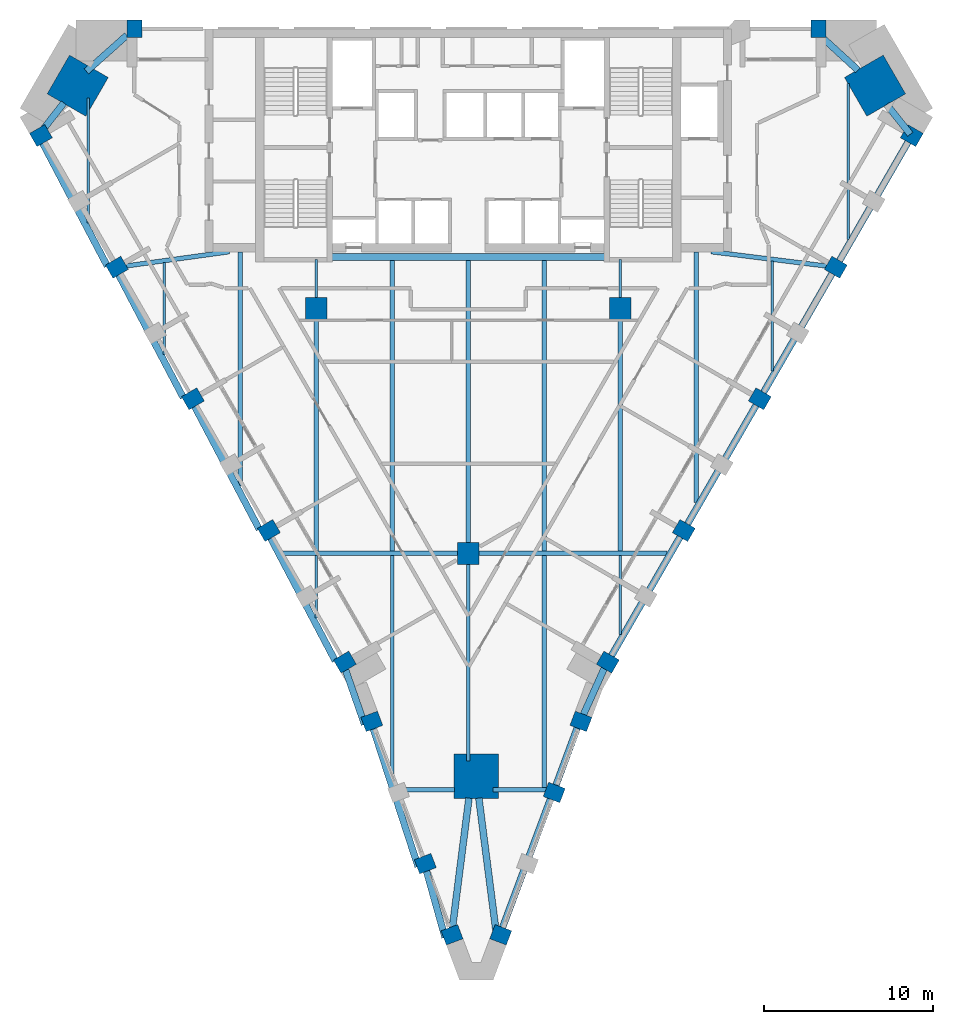
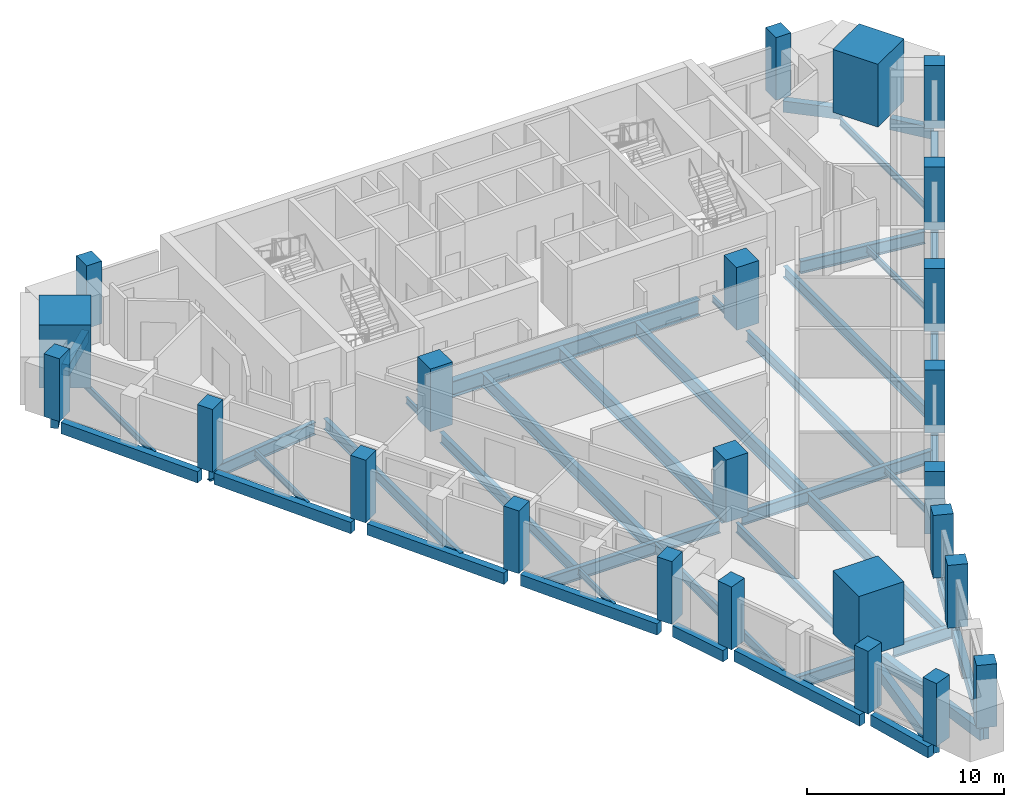
# One storey, part 1 of 9: 45 beams, 24 columns.
"""IFC4 building model written with IfcOpenShell, lengths in metres."""

from ifc_helpers import new_model, si_unit, direction, frame, origin, origin_2d, place, context, subcontext, project, spatial, rectangle, i_section, extrude, material, material_profile, profile_set, type_object, element, save


model = new_model("IFC4")

# Units and contexts
model_context = context("Model", 3, precision=1e-05, world=origin(), true_north=direction((0.0, 1.0)))
body_context = subcontext(model_context, "Body", "Model", "MODEL_VIEW")
ifc_project = project(units=[si_unit("LENGTHUNIT", "METRE"), si_unit("AREAUNIT", "SQUARE_METRE"), si_unit("VOLUMEUNIT", "CUBIC_METRE"), si_unit("PLANEANGLEUNIT", "RADIAN"), si_unit("MASSUNIT", "GRAM", prefix="KILO")], contexts=[model_context])

# Site, building, storey
site_placement = place(None, origin())
site = spatial("IfcSite", under=ifc_project, at=site_placement, CompositionType="ELEMENT")
building_placement = place(site_placement, origin())
building = spatial("IfcBuilding", under=site, at=building_placement, Name="Calabash Gate Tower", CompositionType="ELEMENT")
storey_placement = place(building_placement, frame((0.0, 0.0, 171.89990234375)))
storey = spatial("IfcBuildingStorey", under=building, at=storey_placement, Name="L40", CompositionType="ELEMENT", Elevation=171.89990234375)

# Columns
ifc_material_1 = material(Name="Concrete C70/85", Category="concrete")
ifc_material_profile_1 = material_profile(ifc_material_1, rectangle(XDim=1.300048828125, YDim=1.300048828125, at=origin_2d()))
ifc_profile_set_1 = profile_set([ifc_material_profile_1], Name="Concrete C70/85")
column_type_1 = type_object("IfcColumnType", Name="Interior column RC 1300x1300 Concrete C70/85", PredefinedType="COLUMN", material=ifc_profile_set_1)
for number, where, z_axis, x_axis, name in (
    (1, (-9.0, 2.5, 0.0), (0.0, 0.0, 1.0), (1.0, 0.0, 0.0), "Interior column L40 I0"),
    (2, (9.0, 2.5, 0.0), (0.0, 0.0, 1.0), (1.0, 0.0, 0.0), "Interior column L40 I1"),
    (3, (0.0, -12.0, 0.0), (0.0, 0.0, 1.0), (1.0, 0.0, 0.0), "Interior column L40 I2"),
):
    element("IfcColumn", number, at=place(storey_placement, frame(where, z_axis=z_axis, x_axis=x_axis)), inside=storey, type_object=column_type_1, Name=name, PredefinedType="COLUMN", context=body_context, shape_type="SweptSolid", body=[
        extrude(rectangle(XDim=1.300048828125, YDim=1.300048828125, at=origin_2d()), origin(), (0.0, 0.0, 1.0), 3.900146484375),
    ])
ifc_material_2 = material(Name="Concrete C70/85", Category="concrete")
ifc_material_profile_2 = material_profile(ifc_material_2, rectangle(XDim=2.64990234375, YDim=2.64990234375, at=origin_2d()))
ifc_profile_set_2 = profile_set([ifc_material_profile_2], Name="Concrete C70/85")
column_type_2 = type_object("IfcColumnType", Name="Mega column RC 2650x2650 Concrete C70/85", PredefinedType="COLUMN", material=ifc_profile_set_2)
for number, where, z_axis, x_axis, name in (
    (4, (-23.1259765625, 15.68896484375, 0.0), (0.0, 0.0, 1.0), (0.866025386331, -0.50000003023, 0.0), "Mega column L40 NW"),
    (5, (24.0869140625, 15.68896484375, 0.0), (0.0, 0.0, 1.0), (-0.866025386331, -0.50000003023, 0.0), "Mega column L40 NE"),
    (6, (0.47998046875, -25.197998046875, 0.0), (0.0, 0.0, 1.0), (0.0, 1.0, 0.0), "Mega column L40 S"),
):
    element("IfcColumn", number, at=place(storey_placement, frame(where, z_axis=z_axis, x_axis=x_axis)), inside=storey, type_object=column_type_2, Name=name, PredefinedType="COLUMN", context=body_context, shape_type="SweptSolid", body=[
        extrude(rectangle(XDim=2.64990234375, YDim=2.64990234375, at=origin_2d()), origin(), (0.0, 0.0, 1.0), 3.900146484375),
    ])
ifc_material_3 = material(Name="Concrete C60/75", Category="concrete")
ifc_material_profile_3 = material_profile(ifc_material_3, rectangle(XDim=0.89990234375, YDim=1.050048828125, at=origin_2d()))
ifc_profile_set_3 = profile_set([ifc_material_profile_3], Name="Concrete C60/75")
column_type_3 = type_object("IfcColumnType", Name="Perimeter column RC 900x1050 Concrete C60/75", PredefinedType="COLUMN", material=ifc_profile_set_3)
for number, where, z_axis, x_axis, name in (
    (7, (-25.303955078125, 12.73291015625, 0.0), (0.0, 0.0, 1.0), (0.5, -0.866025403784, 0.0), "Perimeter column L40 P20"),
    (8, (-20.803955078125, 4.93896484375, 0.0), (0.0, 0.0, 1.0), (0.5, -0.866025403784, 0.0), "Perimeter column L40 P00"),
    (9, (-16.303955078125, -2.85302734375, 0.0), (0.0, 0.0, 1.0), (0.5, -0.866025403784, 0.0), "Perimeter column L40 P01"),
    (10, (-11.803955078125, -10.64990234375, 0.0), (0.0, 0.0, 1.0), (0.5, -0.866025403784, 0.0), "Perimeter column L40 P02"),
    (11, (-7.303955078125, -18.444091796875, 0.0), (0.0, 0.0, 1.0), (0.5, -0.866025403784, 0.0), "Perimeter column L40 P03"),
    (12, (-5.7119140625, -21.951904296875, 0.0), (0.0, 0.0, 1.0), (0.351822468316, -0.936066744836, 0.0), "Perimeter column L40 P25"),
    (13, (-2.54296875, -30.3759765625, 0.0), (0.0, 0.0, 1.0), (0.351822468316, -0.936066744836, 0.0), "Perimeter column L40 P26"),
    (14, (-0.9619140625, -34.589111328125, 0.0), (0.0, 0.0, 1.0), (0.351822468316, -0.936066744836, 0.0), "Perimeter column L40 P27"),
    (15, (1.9208984375, -34.589111328125, 0.0), (0.0, 0.0, 1.0), (0.351822517328, 0.936066726415, 0.0), "Perimeter column L40 P28"),
    (16, (5.087890625, -26.1640625, 0.0), (0.0, 0.0, 1.0), (0.351822517328, 0.936066726415, 0.0), "Perimeter column L40 P08"),
    (17, (6.6708984375, -21.951904296875, 0.0), (0.0, 0.0, 1.0), (0.351822517328, 0.936066726415, 0.0), "Perimeter column L40 P29"),
    (18, (8.262939453125, -18.444091796875, 0.0), (0.0, 0.0, 1.0), (0.499999984885, 0.866025412511, 0.0), "Perimeter column L40 P09"),
    (19, (12.762939453125, -10.64990234375, 0.0), (0.0, 0.0, 1.0), (0.499999984885, 0.866025412511, 0.0), "Perimeter column L40 P10"),
    (20, (17.262939453125, -2.85302734375, 0.0), (0.0, 0.0, 1.0), (0.499999984885, 0.866025412511, 0.0), "Perimeter column L40 P11"),
    (21, (21.762939453125, 4.93896484375, 0.0), (0.0, 0.0, 1.0), (0.499999984885, 0.866025412511, 0.0), "Perimeter column L40 P12"),
    (22, (26.262939453125, 12.73291015625, 0.0), (0.0, 0.0, 1.0), (0.499999984885, 0.866025412511, 0.0), "Perimeter column L40 P13"),
    (23, (20.72998046875, 19.052978515625, 0.0), (0.0, 0.0, 1.0), (-1.0, 0.0, 0.0), "Perimeter column L40 P24"),
    (24, (-19.77001953125, 19.052978515625, 0.0), (0.0, 0.0, 1.0), (-1.0, 0.0, 0.0), "Perimeter column L40 P17"),
):
    element("IfcColumn", number, at=place(storey_placement, frame(where, z_axis=z_axis, x_axis=x_axis)), inside=storey, type_object=column_type_3, Name=name, PredefinedType="COLUMN", context=body_context, shape_type="SweptSolid", body=[
        extrude(rectangle(XDim=0.89990234375, YDim=1.050048828125, at=origin_2d()), origin(), (0.0, 0.0, 1.0), 3.900146484375),
    ])

# Beams
ifc_material_4 = material(Name="Concrete C50/60", Category="concrete")
ifc_material_profile_4 = material_profile(ifc_material_4, rectangle(XDim=0.39990234375, YDim=0.699951171875, at=origin_2d()))
ifc_profile_set_4 = profile_set([ifc_material_profile_4], Name="Concrete C50/60")
beam_type_1 = type_object("IfcBeamType", Name="Edge beam RC 400x700 Concrete C50/60", PredefinedType="BEAM", material=ifc_profile_set_4)
beam_1_placement = place(storey_placement, frame((-16.208984375, -3.2890625, -0.52001953125), z_axis=(0.465675564473, -0.884955517895, 0.0), x_axis=(0.884955517895, 0.465675564473, 0.0)))
element("IfcBeam", 25, at=beam_1_placement, inside=storey, type_object=beam_type_1, Name="Edge beam L40 1", PredefinedType="BEAM", context=body_context, shape_type="SweptSolid", body=[
    extrude(rectangle(XDim=0.39990234375, YDim=0.699951171875, at=origin_2d()), origin(), (0.0, 0.0, 1.0), 8.2353515625),
])
beam_2_placement = place(storey_placement, frame((-11.708984375, -11.0830078125, -0.52001953125), z_axis=(0.465663347669, -0.884961946435, 0.0), x_axis=(0.884961946435, 0.465663347669, 0.0)))
element("IfcBeam", 26, at=beam_2_placement, inside=storey, type_object=beam_type_1, Name="Edge beam L40 2", PredefinedType="BEAM", context=body_context, shape_type="SweptSolid", body=[
    extrude(rectangle(XDim=0.39990234375, YDim=0.699951171875, at=origin_2d()), origin(), (0.0, 0.0, 1.0), 8.235595703125),
])
beam_3_placement = place(storey_placement, frame((-7.261962890625, -18.909912109375, -0.52001953125), z_axis=(0.328245355314, -0.944592497702, 0.0), x_axis=(0.944592497702, 0.328245355314, 0.0)))
element("IfcBeam", 27, at=beam_3_placement, inside=storey, type_object=beam_type_1, Name="Edge beam L40 3", PredefinedType="BEAM", context=body_context, shape_type="SweptSolid", body=[
    extrude(rectangle(XDim=0.39990234375, YDim=0.699951171875, at=origin_2d()), origin(), (0.0, 0.0, 1.0), 3.40576171875),
])
beam_4_placement = place(storey_placement, frame((-5.62890625, -22.3720703125, -0.52001953125), z_axis=(0.309131657382, -0.951019252384, 0.0), x_axis=(0.951019252384, 0.309131657382, 0.0)))
element("IfcBeam", 28, at=beam_4_placement, inside=storey, type_object=beam_type_1, Name="Edge beam L40 4", PredefinedType="BEAM", context=body_context, shape_type="SweptSolid", body=[
    extrude(rectangle(XDim=0.39990234375, YDim=0.699951171875, at=origin_2d()), origin(), (0.0, 0.0, 1.0), 8.59814453125),
])
beam_5_placement = place(storey_placement, frame((-2.47412109375, -30.81298828125, -0.52001953125), z_axis=(0.269059658347, -0.963123512459, 0.0), x_axis=(0.963123512459, 0.269059658347, 0.0)))
element("IfcBeam", 29, at=beam_5_placement, inside=storey, type_object=beam_type_1, Name="Edge beam L40 5", PredefinedType="BEAM", context=body_context, shape_type="SweptSolid", body=[
    extrude(rectangle(XDim=0.39990234375, YDim=0.699951171875, at=origin_2d()), origin(), (0.0, 0.0, 1.0), 4.081298828125),
])
beam_6_placement = place(storey_placement, frame((-0.990966796875, -34.60205078125, -0.52001953125), z_axis=(0.126376125959, 0.99198239641, 0.0), x_axis=(-0.99198239641, 0.126376125959, 0.0)))
element("IfcBeam", 30, at=beam_6_placement, inside=storey, type_object=beam_type_1, Name="Edge beam L40 6", PredefinedType="BEAM", context=body_context, shape_type="SweptSolid", body=[
    extrude(rectangle(XDim=0.39990234375, YDim=0.699951171875, at=origin_2d()), origin(), (0.0, 0.0, 1.0), 8.173583984375),
])
beam_7_placement = place(storey_placement, frame((0.626953125, -26.492919921875, -0.52001953125), z_axis=(0.127868304921, -0.991791155736, 0.0), x_axis=(0.991791155736, 0.127868304921, 0.0)))
element("IfcBeam", 31, at=beam_7_placement, inside=storey, type_object=beam_type_1, Name="Edge beam L40 7", PredefinedType="BEAM", context=body_context, shape_type="SweptSolid", body=[
    extrude(rectangle(XDim=0.39990234375, YDim=0.699951171875, at=origin_2d()), origin(), (0.0, 0.0, 1.0), 8.345703125),
])
beam_8_placement = place(storey_placement, frame((1.7939453125, -34.799072265625, -0.52001953125), z_axis=(0.349546583338, 0.936918985866, 0.0), x_axis=(-0.936918985866, 0.349546583338, 0.0)))
element("IfcBeam", 32, at=beam_8_placement, inside=storey, type_object=beam_type_1, Name="Edge beam L40 8", PredefinedType="BEAM", context=body_context, shape_type="SweptSolid", body=[
    extrude(rectangle(XDim=0.39990234375, YDim=0.699951171875, at=origin_2d()), origin(), (0.0, 0.0, 1.0), 8.808837890625),
])
beam_9_placement = place(storey_placement, frame((4.9609375, -26.373046875, -0.52001953125), z_axis=(0.34714449754, 0.937811653707, 0.0), x_axis=(-0.937811653707, 0.34714449754, 0.0)))
element("IfcBeam", 33, at=beam_9_placement, inside=storey, type_object=beam_type_1, Name="Edge beam L40 9", PredefinedType="BEAM", context=body_context, shape_type="SweptSolid", body=[
    extrude(rectangle(XDim=0.39990234375, YDim=0.699951171875, at=origin_2d()), origin(), (0.0, 0.0, 1.0), 4.306884765625),
])
beam_10_placement = place(storey_placement, frame((6.5419921875, -22.1708984375, -0.52001953125), z_axis=(0.410262361103, 0.911967540575, 0.0), x_axis=(-0.911967540575, 0.410262361103, 0.0)))
element("IfcBeam", 34, at=beam_10_placement, inside=storey, type_object=beam_type_1, Name="Edge beam L40 10", PredefinedType="BEAM", context=body_context, shape_type="SweptSolid", body=[
    extrude(rectangle(XDim=0.39990234375, YDim=0.699951171875, at=origin_2d()), origin(), (0.0, 0.0, 1.0), 3.671142578125),
])
beam_11_placement = place(storey_placement, frame((8.27197265625, -18.427978515625, -0.52001953125), z_axis=(0.500197168152, 0.865911538768, 0.0), x_axis=(-0.865911538768, 0.500197168152, 0.0)))
element("IfcBeam", 35, at=beam_11_placement, inside=storey, type_object=beam_type_1, Name="Edge beam L40 11", PredefinedType="BEAM", context=body_context, shape_type="SweptSolid", body=[
    extrude(rectangle(XDim=0.39990234375, YDim=0.699951171875, at=origin_2d()), origin(), (0.0, 0.0, 1.0), 8.546875),
])
for number, where, z_axis, x_axis, name in (
    (36, (12.77197265625, -10.634033203125, -0.52001953125), (0.500135313796, 0.865947266232, 0.0), (-0.865947266232, 0.500135313796, 0.0), "Edge beam L40 12"),
    (37, (17.27197265625, -2.840087890625, -0.52001953125), (0.500135313796, 0.865947266232, 0.0), (-0.865947266232, 0.500135313796, 0.0), "Edge beam L40 13"),
):
    element("IfcBeam", number, at=place(storey_placement, frame(where, z_axis=z_axis, x_axis=x_axis)), inside=storey, type_object=beam_type_1, Name=name, PredefinedType="BEAM", context=body_context, shape_type="SweptSolid", body=[
        extrude(rectangle(XDim=0.39990234375, YDim=0.699951171875, at=origin_2d()), origin(), (0.0, 0.0, 1.0), 8.548095703125),
    ])
beam_12_placement = place(storey_placement, frame((21.77197265625, 4.95703125, -0.52001953125), z_axis=(0.50029616164, 0.865854347248, 0.0), x_axis=(-0.865854347248, 0.50029616164, 0.0)))
element("IfcBeam", 38, at=beam_12_placement, inside=storey, type_object=beam_type_1, Name="Edge beam L40 14", PredefinedType="BEAM", context=body_context, shape_type="SweptSolid", body=[
    extrude(rectangle(XDim=0.39990234375, YDim=0.699951171875, at=origin_2d()), origin(), (0.0, 0.0, 1.0), 8.545166015625),
])
beam_13_placement = place(storey_placement, frame((26.176025390625, 12.81103515625, -0.52001953125), z_axis=(-0.620961056093, 0.78384141688, 0.0), x_axis=(-0.78384141688, -0.620961056093, 0.0)))
element("IfcBeam", 39, at=beam_13_placement, inside=storey, type_object=beam_type_1, Name="Edge beam L40 15", PredefinedType="BEAM", context=body_context, shape_type="SweptSolid", body=[
    extrude(rectangle(XDim=0.39990234375, YDim=0.699951171875, at=origin_2d()), origin(), (0.0, 0.0, 1.0), 2.2529296875),
])
beam_14_placement = place(storey_placement, frame((23.073974609375, 16.60595703125, -0.52001953125), z_axis=(-0.737193931514, 0.675681217246, 0.0), x_axis=(-0.675681217246, -0.737193931514, 0.0)))
element("IfcBeam", 40, at=beam_14_placement, inside=storey, type_object=beam_type_1, Name="Edge beam L40 16", PredefinedType="BEAM", context=body_context, shape_type="SweptSolid", body=[
    extrude(rectangle(XDim=0.39990234375, YDim=0.699951171875, at=origin_2d()), origin(), (0.0, 0.0, 1.0), 3.05615234375),
])
beam_15_placement = place(storey_placement, frame((-20.2109375, 18.677001953125, -0.52001953125), z_axis=(-0.746361655532, -0.665540591664, 0.0), x_axis=(0.665540591664, -0.746361655532, 0.0)))
element("IfcBeam", 41, at=beam_15_placement, inside=storey, type_object=beam_type_1, Name="Edge beam L40 17", PredefinedType="BEAM", context=body_context, shape_type="SweptSolid", body=[
    extrude(rectangle(XDim=0.39990234375, YDim=0.699951171875, at=origin_2d()), origin(), (0.0, 0.0, 1.0), 3.217041015625),
])
beam_16_placement = place(storey_placement, frame((-23.947021484375, 14.6689453125, -0.52001953125), z_axis=(-0.615372333956, -0.788236570201, 0.0), x_axis=(0.788236570201, -0.615372333956, 0.0)))
element("IfcBeam", 42, at=beam_16_placement, inside=storey, type_object=beam_type_1, Name="Edge beam L40 18", PredefinedType="BEAM", context=body_context, shape_type="SweptSolid", body=[
    extrude(rectangle(XDim=0.39990234375, YDim=0.699951171875, at=origin_2d()), origin(), (0.0, 0.0, 1.0), 2.406494140625),
])
beam_17_placement = place(storey_placement, frame((-25.208984375, 12.299072265625, -0.52001953125), z_axis=(0.465663347669, -0.884961946435, 0.0), x_axis=(0.884961946435, 0.465663347669, 0.0)))
element("IfcBeam", 43, at=beam_17_placement, inside=storey, type_object=beam_type_1, Name="Edge beam L40 19", PredefinedType="BEAM", context=body_context, shape_type="SweptSolid", body=[
    extrude(rectangle(XDim=0.39990234375, YDim=0.699951171875, at=origin_2d()), origin(), (0.0, 0.0, 1.0), 8.235595703125),
])
beam_18_placement = place(storey_placement, frame((-20.708984375, 4.507080078125, -0.52001953125), z_axis=(0.465565633109, -0.885013356547, 0.0), x_axis=(0.885013356547, 0.465565633109, 0.0)))
element("IfcBeam", 44, at=beam_18_placement, inside=storey, type_object=beam_type_1, Name="Edge beam L40 20", PredefinedType="BEAM", context=body_context, shape_type="SweptSolid", body=[
    extrude(rectangle(XDim=0.39990234375, YDim=0.699951171875, at=origin_2d()), origin(), (0.0, 0.0, 1.0), 8.2373046875),
])
ifc_material_5 = material(Name="Steel ASTM A992 Gr50", Category="steel")
ifc_material_profile_5 = material_profile(ifc_material_5, i_section(OverallWidth=0.1396484375, OverallDepth=0.398681640625, WebThickness=0.00634765625, FlangeThickness=0.0087890625, FilletRadius=0.01025390625, at=origin_2d()))
ifc_profile_set_5 = profile_set([ifc_material_profile_5], Name="Steel ASTM A992 Gr50")
beam_type_2 = type_object("IfcBeamType", Name="Floor beam W16x26 ASTM A992 Gr50", PredefinedType="BEAM", material=ifc_profile_set_5)
beam_19_placement = place(storey_placement, frame((-22.5, 7.56689453125, -0.368896484375), z_axis=(0.0, 1.0, 0.0), x_axis=(-1.0, 0.0, 0.0)))
element("IfcBeam", 45, at=beam_19_placement, inside=storey, type_object=beam_type_2, Name="Floor beam L40 1", PredefinedType="BEAM", context=body_context, shape_type="SweptSolid", body=[
    extrude(i_section(OverallWidth=0.1396484375, OverallDepth=0.398681640625, WebThickness=0.00634765625, FlangeThickness=0.0087890625, FilletRadius=0.01025390625, at=origin_2d()), origin(), (0.0, 0.0, 1.0), 7.39013671875),
])
beam_20_placement = place(storey_placement, frame((-18.0, -0.22900390625, -0.368896484375), z_axis=(0.0, 1.0, 0.0), x_axis=(-1.0, 0.0, 0.0)))
element("IfcBeam", 46, at=beam_20_placement, inside=storey, type_object=beam_type_2, Name="Floor beam L40 2", PredefinedType="BEAM", context=body_context, shape_type="SweptSolid", body=[
    extrude(i_section(OverallWidth=0.1396484375, OverallDepth=0.398681640625, WebThickness=0.00634765625, FlangeThickness=0.0087890625, FilletRadius=0.01025390625, at=origin_2d()), origin(), (0.0, 0.0, 1.0), 5.44189453125),
])
beam_21_placement = place(storey_placement, frame((-9.0, -15.818115234375, -0.368896484375), z_axis=(0.0, 1.0, 0.0), x_axis=(-1.0, 0.0, 0.0)))
element("IfcBeam", 47, at=beam_21_placement, inside=storey, type_object=beam_type_2, Name="Floor beam L40 4", PredefinedType="BEAM", context=body_context, shape_type="SweptSolid", body=[
    extrude(i_section(OverallWidth=0.1396484375, OverallDepth=0.398681640625, WebThickness=0.00634765625, FlangeThickness=0.0087890625, FilletRadius=0.01025390625, at=origin_2d()), origin(), (0.0, 0.0, 1.0), 3.68505859375),
])
beam_22_placement = place(storey_placement, frame((-9.0, 3.14990234375, -0.368896484375), z_axis=(0.0, 1.0, 0.0), x_axis=(-1.0, 0.0, 0.0)))
element("IfcBeam", 48, at=beam_22_placement, inside=storey, type_object=beam_type_2, Name="Floor beam L40 6", PredefinedType="BEAM", context=body_context, shape_type="SweptSolid", body=[
    extrude(i_section(OverallWidth=0.1396484375, OverallDepth=0.398681640625, WebThickness=0.00634765625, FlangeThickness=0.0087890625, FilletRadius=0.01025390625, at=origin_2d()), origin(), (0.0, 0.0, 1.0), 2.253173828125),
])
beam_23_placement = place(storey_placement, frame((9.0, -16.799072265625, -0.368896484375), z_axis=(0.0, 1.0, 0.0), x_axis=(-1.0, 0.0, 0.0)))
element("IfcBeam", 49, at=beam_23_placement, inside=storey, type_object=beam_type_2, Name="Floor beam L40 13", PredefinedType="BEAM", context=body_context, shape_type="SweptSolid", body=[
    extrude(i_section(OverallWidth=0.1396484375, OverallDepth=0.398681640625, WebThickness=0.00634765625, FlangeThickness=0.0087890625, FilletRadius=0.01025390625, at=origin_2d()), origin(), (0.0, 0.0, 1.0), 4.666015625),
])
beam_24_placement = place(storey_placement, frame((9.0, 3.14990234375, -0.368896484375), z_axis=(0.0, 1.0, 0.0), x_axis=(-1.0, 0.0, 0.0)))
element("IfcBeam", 50, at=beam_24_placement, inside=storey, type_object=beam_type_2, Name="Floor beam L40 15", PredefinedType="BEAM", context=body_context, shape_type="SweptSolid", body=[
    extrude(i_section(OverallWidth=0.1396484375, OverallDepth=0.398681640625, WebThickness=0.00634765625, FlangeThickness=0.0087890625, FilletRadius=0.01025390625, at=origin_2d()), origin(), (0.0, 0.0, 1.0), 2.253173828125),
])
beam_25_placement = place(storey_placement, frame((18.0, -1.2109375, -0.368896484375), z_axis=(0.0, 1.0, 0.0), x_axis=(-1.0, 0.0, 0.0)))
element("IfcBeam", 51, at=beam_25_placement, inside=storey, type_object=beam_type_2, Name="Floor beam L40 17", PredefinedType="BEAM", context=body_context, shape_type="SweptSolid", body=[
    extrude(i_section(OverallWidth=0.1396484375, OverallDepth=0.398681640625, WebThickness=0.00634765625, FlangeThickness=0.0087890625, FilletRadius=0.01025390625, at=origin_2d()), origin(), (0.0, 0.0, 1.0), 6.5048828125),
])
ifc_material_6 = material(Name="Steel ASTM A992 Gr50", Category="steel")
ifc_material_profile_6 = material_profile(ifc_material_6, i_section(OverallWidth=0.15234375, OverallDepth=0.44970703125, WebThickness=0.007568359375, FlangeThickness=0.0107421875, FilletRadius=0.01025390625, at=origin_2d()))
ifc_profile_set_6 = profile_set([ifc_material_profile_6], Name="Steel ASTM A992 Gr50")
beam_type_3 = type_object("IfcBeamType", Name="Floor beam W18x35 ASTM A992 Gr50", PredefinedType="BEAM", material=ifc_profile_set_6)
beam_26_placement = place(storey_placement, frame((22.5, 6.5830078125, -0.392822265625), z_axis=(0.0, 1.0, 0.0), x_axis=(-1.0, 0.0, 0.0)))
element("IfcBeam", 52, at=beam_26_placement, inside=storey, type_object=beam_type_3, Name="Floor beam L40 18", PredefinedType="BEAM", context=body_context, shape_type="SweptSolid", body=[
    extrude(i_section(OverallWidth=0.15234375, OverallDepth=0.44970703125, WebThickness=0.007568359375, FlangeThickness=0.0107421875, FilletRadius=0.01025390625, at=origin_2d()), origin(), (0.0, 0.0, 1.0), 9.22900390625),
])
ifc_material_7 = material(Name="Steel ASTM A992 Gr50", Category="steel")
ifc_material_profile_7 = material_profile(ifc_material_7, i_section(OverallWidth=0.1787109375, OverallDepth=0.60205078125, WebThickness=0.010986328125, FlangeThickness=0.014892578125, FilletRadius=0.0126953125, at=origin_2d()))
ifc_profile_set_7 = profile_set([ifc_material_profile_7], Name="Steel ASTM A992 Gr50")
beam_type_4 = type_object("IfcBeamType", Name="Floor beam W24x62 ASTM A992 Gr50", PredefinedType="BEAM", material=ifc_profile_set_7)
beam_27_placement = place(storey_placement, frame((-4.5, -25.2109375, -0.470947265625), z_axis=(0.0, 1.0, 0.0), x_axis=(-1.0, 0.0, 0.0)))
element("IfcBeam", 53, at=beam_27_placement, inside=storey, type_object=beam_type_4, Name="Floor beam L40 7", PredefinedType="BEAM", context=body_context, shape_type="SweptSolid", body=[
    extrude(i_section(OverallWidth=0.1787109375, OverallDepth=0.60205078125, WebThickness=0.010986328125, FlangeThickness=0.014892578125, FilletRadius=0.0126953125, at=origin_2d()), origin(), (0.0, 0.0, 1.0), 13.077880859375),
])
beam_28_placement = place(storey_placement, frame((0.0, -24.302978515625, -0.470947265625), z_axis=(0.0, 1.0, 0.0), x_axis=(-1.0, 0.0, 0.0)))
element("IfcBeam", 54, at=beam_28_placement, inside=storey, type_object=beam_type_4, Name="Floor beam L40 9", PredefinedType="BEAM", context=body_context, shape_type="SweptSolid", body=[
    extrude(i_section(OverallWidth=0.1787109375, OverallDepth=0.60205078125, WebThickness=0.010986328125, FlangeThickness=0.014892578125, FilletRadius=0.0126953125, at=origin_2d()), origin(), (0.0, 0.0, 1.0), 11.653076171875),
])
ifc_material_8 = material(Name="Steel ASTM A992 Gr50", Category="steel")
ifc_material_profile_8 = material_profile(ifc_material_8, i_section(OverallWidth=0.25390625, OverallDepth=0.67822265625, WebThickness=0.01171875, FlangeThickness=0.016357421875, FilletRadius=0.01513671875, at=origin_2d()))
ifc_profile_set_8 = profile_set([ifc_material_profile_8], Name="Steel ASTM A992 Gr50")
beam_type_5 = type_object("IfcBeamType", Name="Floor beam W27x84 ASTM A992 Gr50", PredefinedType="BEAM", material=ifc_profile_set_8)
beam_29_placement = place(storey_placement, frame((-13.5, -8.02294921875, -0.5087890625), z_axis=(0.0, 1.0, 0.0), x_axis=(-1.0, 0.0, 0.0)))
element("IfcBeam", 55, at=beam_29_placement, inside=storey, type_object=beam_type_5, Name="Floor beam L40 3", PredefinedType="BEAM", context=body_context, shape_type="SweptSolid", body=[
    extrude(i_section(OverallWidth=0.25390625, OverallDepth=0.67822265625, WebThickness=0.01171875, FlangeThickness=0.016357421875, FilletRadius=0.01513671875, at=origin_2d()), origin(), (0.0, 0.0, 1.0), 13.8759765625),
])
beam_30_placement = place(storey_placement, frame((-9.0, -11.866943359375, -0.5087890625), z_axis=(0.0, 1.0, 0.0), x_axis=(-1.0, 0.0, 0.0)))
element("IfcBeam", 56, at=beam_30_placement, inside=storey, type_object=beam_type_5, Name="Floor beam L40 5", PredefinedType="BEAM", context=body_context, shape_type="SweptSolid", body=[
    extrude(i_section(OverallWidth=0.25390625, OverallDepth=0.67822265625, WebThickness=0.01171875, FlangeThickness=0.016357421875, FilletRadius=0.01513671875, at=origin_2d()), origin(), (0.0, 0.0, 1.0), 13.717041015625),
])
beam_31_placement = place(storey_placement, frame((4.5, -25.89892578125, -0.5087890625), z_axis=(0.0, 1.0, 0.0), x_axis=(-1.0, 0.0, 0.0)))
element("IfcBeam", 57, at=beam_31_placement, inside=storey, type_object=beam_type_5, Name="Floor beam L40 11", PredefinedType="BEAM", context=body_context, shape_type="SweptSolid", body=[
    extrude(i_section(OverallWidth=0.25390625, OverallDepth=0.67822265625, WebThickness=0.01171875, FlangeThickness=0.016357421875, FilletRadius=0.01513671875, at=origin_2d()), origin(), (0.0, 0.0, 1.0), 13.765869140625),
])
beam_32_placement = place(storey_placement, frame((9.0, -11.866943359375, -0.5087890625), z_axis=(0.0, 1.0, 0.0), x_axis=(-1.0, 0.0, 0.0)))
element("IfcBeam", 58, at=beam_32_placement, inside=storey, type_object=beam_type_5, Name="Floor beam L40 14", PredefinedType="BEAM", context=body_context, shape_type="SweptSolid", body=[
    extrude(i_section(OverallWidth=0.25390625, OverallDepth=0.67822265625, WebThickness=0.01171875, FlangeThickness=0.016357421875, FilletRadius=0.01513671875, at=origin_2d()), origin(), (0.0, 0.0, 1.0), 13.717041015625),
])
beam_33_placement = place(storey_placement, frame((13.5, -9.0029296875, -0.5087890625), z_axis=(0.0, 1.0, 0.0), x_axis=(-1.0, 0.0, 0.0)))
element("IfcBeam", 59, at=beam_33_placement, inside=storey, type_object=beam_type_5, Name="Floor beam L40 16", PredefinedType="BEAM", context=body_context, shape_type="SweptSolid", body=[
    extrude(i_section(OverallWidth=0.25390625, OverallDepth=0.67822265625, WebThickness=0.01171875, FlangeThickness=0.016357421875, FilletRadius=0.01513671875, at=origin_2d()), origin(), (0.0, 0.0, 1.0), 14.85595703125),
])
ifc_material_9 = material(Name="Steel ASTM A992 Gr50", Category="steel")
ifc_material_profile_9 = material_profile(ifc_material_9, i_section(OverallWidth=0.2919921875, OverallDepth=0.845703125, WebThickness=0.015380859375, FlangeThickness=0.0244140625, FilletRadius=0.017822265625, at=origin_2d()))
ifc_profile_set_9 = profile_set([ifc_material_profile_9], Name="Steel ASTM A992 Gr50")
beam_type_6 = type_object("IfcBeamType", Name="Floor beam W33x141 ASTM A992 Gr50", PredefinedType="BEAM", material=ifc_profile_set_9)
beam_34_placement = place(storey_placement, frame((-4.5, -11.866943359375, -0.593017578125), z_axis=(0.0, 1.0, 0.0), x_axis=(-1.0, 0.0, 0.0)))
element("IfcBeam", 60, at=beam_34_placement, inside=storey, type_object=beam_type_6, Name="Floor beam L40 8", PredefinedType="BEAM", context=body_context, shape_type="SweptSolid", body=[
    extrude(i_section(OverallWidth=0.2919921875, OverallDepth=0.845703125, WebThickness=0.015380859375, FlangeThickness=0.0244140625, FilletRadius=0.017822265625, at=origin_2d()), origin(), (0.0, 0.0, 1.0), 17.218994140625),
])
beam_35_placement = place(storey_placement, frame((0.0, -11.35009765625, -0.593017578125), z_axis=(0.0, 1.0, 0.0), x_axis=(-1.0, 0.0, 0.0)))
element("IfcBeam", 61, at=beam_35_placement, inside=storey, type_object=beam_type_6, Name="Floor beam L40 10", PredefinedType="BEAM", context=body_context, shape_type="SweptSolid", body=[
    extrude(i_section(OverallWidth=0.2919921875, OverallDepth=0.845703125, WebThickness=0.015380859375, FlangeThickness=0.0244140625, FilletRadius=0.017822265625, at=origin_2d()), origin(), (0.0, 0.0, 1.0), 16.7021484375),
])
beam_36_placement = place(storey_placement, frame((4.5, -11.866943359375, -0.593017578125), z_axis=(0.0, 1.0, 0.0), x_axis=(-1.0, 0.0, 0.0)))
element("IfcBeam", 62, at=beam_36_placement, inside=storey, type_object=beam_type_6, Name="Floor beam L40 12", PredefinedType="BEAM", context=body_context, shape_type="SweptSolid", body=[
    extrude(i_section(OverallWidth=0.2919921875, OverallDepth=0.845703125, WebThickness=0.015380859375, FlangeThickness=0.0244140625, FilletRadius=0.017822265625, at=origin_2d()), origin(), (0.0, 0.0, 1.0), 17.218994140625),
])
ifc_material_10 = material(Name="Steel ASTM A992 Gr50", Category="steel")
ifc_material_profile_10 = material_profile(ifc_material_10, i_section(OverallWidth=0.2666015625, OverallDepth=0.77978515625, WebThickness=0.0166015625, FlangeThickness=0.030029296875, FilletRadius=0.0166015625, at=origin_2d()))
ifc_profile_set_10 = profile_set([ifc_material_profile_10], Name="Steel ASTM A992 Gr50")
beam_type_7 = type_object("IfcBeamType", Name="Girder W30x148 ASTM A992 Gr50", PredefinedType="BEAM", material=ifc_profile_set_10)
beam_37_placement = place(storey_placement, frame((-20.887939453125, 4.927001953125, -0.559814453125), z_axis=(0.990618279265, 0.136658057886, 0.0), x_axis=(-0.136658057886, 0.990618279265, 0.0)))
element("IfcBeam", 63, at=beam_37_placement, inside=storey, type_object=beam_type_7, Name="Girder L40 2", PredefinedType="BEAM", context=body_context, shape_type="SweptSolid", body=[
    extrude(i_section(OverallWidth=0.2666015625, OverallDepth=0.77978515625, WebThickness=0.0166015625, FlangeThickness=0.030029296875, FilletRadius=0.0166015625, at=origin_2d()), origin(), (0.0, 0.0, 1.0), 6.797607421875),
])
beam_38_placement = place(storey_placement, frame((21.218994140625, 5.007080078125, -0.559814453125), z_axis=(-0.992362690963, 0.123354325355, 0.0), x_axis=(-0.123354325355, -0.992362690963, 0.0)))
element("IfcBeam", 64, at=beam_38_placement, inside=storey, type_object=beam_type_7, Name="Girder L40 3", PredefinedType="BEAM", context=body_context, shape_type="SweptSolid", body=[
    extrude(i_section(OverallWidth=0.2666015625, OverallDepth=0.77978515625, WebThickness=0.0166015625, FlangeThickness=0.030029296875, FilletRadius=0.0166015625, at=origin_2d()), origin(), (0.0, 0.0, 1.0), 6.8896484375),
])
beam_39_placement = place(storey_placement, frame((-11.013916015625, -12.0, -0.559814453125), z_axis=(1.0, 0.0, 0.0), x_axis=(0.0, 1.0, 0.0)))
element("IfcBeam", 65, at=beam_39_placement, inside=storey, type_object=beam_type_7, Name="Girder L40 4", PredefinedType="BEAM", context=body_context, shape_type="SweptSolid", body=[
    extrude(i_section(OverallWidth=0.2666015625, OverallDepth=0.77978515625, WebThickness=0.0166015625, FlangeThickness=0.030029296875, FilletRadius=0.0166015625, at=origin_2d()), origin(), (0.0, 0.0, 1.0), 10.364013671875),
])
beam_40_placement = place(storey_placement, frame((0.64990234375, -12.0, -0.559814453125), z_axis=(1.0, 0.0, 0.0), x_axis=(0.0, 1.0, 0.0)))
element("IfcBeam", 66, at=beam_40_placement, inside=storey, type_object=beam_type_7, Name="Girder L40 5", PredefinedType="BEAM", context=body_context, shape_type="SweptSolid", body=[
    extrude(i_section(OverallWidth=0.2666015625, OverallDepth=0.77978515625, WebThickness=0.0166015625, FlangeThickness=0.030029296875, FilletRadius=0.0166015625, at=origin_2d()), origin(), (0.0, 0.0, 1.0), 11.123046875),
])
beam_41_placement = place(storey_placement, frame((-4.2529296875, -26.0, -0.559814453125), z_axis=(1.0, 0.0, 0.0), x_axis=(0.0, 1.0, 0.0)))
element("IfcBeam", 67, at=beam_41_placement, inside=storey, type_object=beam_type_7, Name="Girder L40 6", PredefinedType="BEAM", context=body_context, shape_type="SweptSolid", body=[
    extrude(i_section(OverallWidth=0.2666015625, OverallDepth=0.77978515625, WebThickness=0.0166015625, FlangeThickness=0.030029296875, FilletRadius=0.0166015625, at=origin_2d()), origin(), (0.0, 0.0, 1.0), 3.431884765625),
])
beam_42_placement = place(storey_placement, frame((1.472900390625, -26.0, -0.559814453125), z_axis=(1.0, 0.0, 0.0), x_axis=(0.0, 1.0, 0.0)))
element("IfcBeam", 68, at=beam_42_placement, inside=storey, type_object=beam_type_7, Name="Girder L40 7", PredefinedType="BEAM", context=body_context, shape_type="SweptSolid", body=[
    extrude(i_section(OverallWidth=0.2666015625, OverallDepth=0.77978515625, WebThickness=0.0166015625, FlangeThickness=0.030029296875, FilletRadius=0.0166015625, at=origin_2d()), origin(), (0.0, 0.0, 1.0), 3.42919921875),
])
ifc_material_11 = material(Name="Steel ASTM A992 Gr50", Category="steel")
ifc_material_profile_11 = material_profile(ifc_material_11, i_section(OverallWidth=0.4013671875, OverallDepth=1.000732421875, WebThickness=0.01904296875, FlangeThickness=0.0361328125, FilletRadius=0.030029296875, at=origin_2d()))
ifc_profile_set_11 = profile_set([ifc_material_profile_11], Name="Steel ASTM A992 Gr50")
beam_type_8 = type_object("IfcBeamType", Name="Girder W40x249 ASTM A992 Gr50", PredefinedType="BEAM", material=ifc_profile_set_11)
beam_43_placement = place(storey_placement, frame((-8.25, 5.552978515625, -0.669921875), z_axis=(1.0, 0.0, 0.0), x_axis=(0.0, 1.0, 0.0)))
element("IfcBeam", 69, at=beam_43_placement, inside=storey, type_object=beam_type_8, Name="Girder L40 1", PredefinedType="BEAM", context=body_context, shape_type="SweptSolid", body=[
    extrude(i_section(OverallWidth=0.4013671875, OverallDepth=1.000732421875, WebThickness=0.01904296875, FlangeThickness=0.0361328125, FilletRadius=0.030029296875, at=origin_2d()), origin(), (0.0, 0.0, 1.0), 16.5),
])

save(model, "model.ifc")
